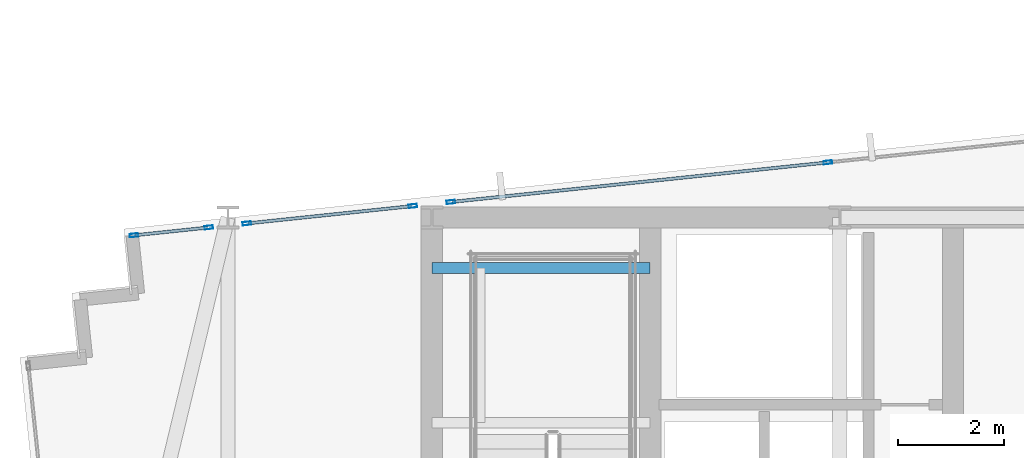
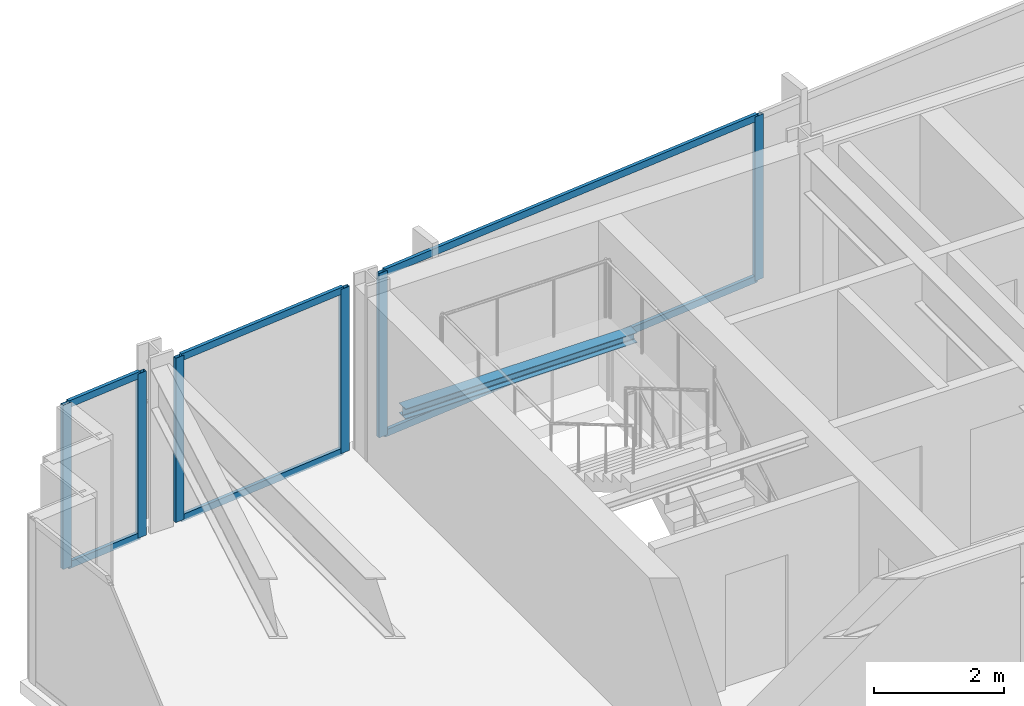
# One storey, part 20 of 32: 12 members, 1 beam, 3 elements without a shape of their own.
"""IFC4 building model written with IfcOpenShell, lengths in metres."""

from ifc_helpers import new_model, si_unit, direction, frame, origin, origin_2d, place, context, subcontext, project, spatial, hollow_rectangle, i_section, extrude, material, material_profile, profile_set, type_object, element, aggregate, save


model = new_model("IFC4")

# Units and contexts
model_context = context("Model", 3, precision=1e-05, world=origin(), true_north=direction((0.0, 1.0)))
body_context = subcontext(model_context, "Body", "Model", "MODEL_VIEW")
ifc_project = project(units=[si_unit("LENGTHUNIT", "METRE"), si_unit("AREAUNIT", "SQUARE_METRE"), si_unit("VOLUMEUNIT", "CUBIC_METRE"), si_unit("PLANEANGLEUNIT", "RADIAN"), si_unit("MASSUNIT", "GRAM", prefix="KILO")], contexts=[model_context])

# Site, building, storey
site_placement = place(None, origin())
site = spatial("IfcSite", under=ifc_project, at=site_placement, CompositionType="ELEMENT")
building_placement = place(site_placement, origin())
building = spatial("IfcBuilding", under=site, at=building_placement, Name="Yelkora Congress Tower", CompositionType="ELEMENT")
storey_placement = place(building_placement, frame((0.0, 0.0, 214.39990234375)))
storey = spatial("IfcBuildingStorey", under=building, at=storey_placement, Name="L59", CompositionType="ELEMENT", Elevation=214.39990234375)

# Beam
ifc_material_1 = material(Name="Steel S355J2", Category="steel")
ifc_material_profile_1 = material_profile(ifc_material_1, i_section(OverallWidth=0.199951171875, OverallDepth=0.18994140625, WebThickness=0.006591796875, FlangeThickness=0.010009765625, FilletRadius=0.01806640625, at=origin_2d()), Name="HEA 200")
ifc_profile_set_1 = profile_set([ifc_material_profile_1], Name="Steel S355J2")
beam_type = type_object("IfcBeamType", Name="BM-LAND-HEA200", PredefinedType="BEAM", material=ifc_profile_set_1)
beam_placement = place(storey_placement, frame((23.0400390625, 45.25, 1.334716796875), z_axis=(1.0, 0.0, 0.0), x_axis=(0.0, 1.0, 0.0)))
element("IfcBeam", 1, at=beam_placement, inside=storey, type_object=beam_type, Name="ST-01 L59 Landing Header Beam 1N", PredefinedType="BEAM", context=body_context, shape_type="SweptSolid", body=[
    extrude(i_section(OverallWidth=0.199951171875, OverallDepth=0.18994140625, WebThickness=0.006591796875, FlangeThickness=0.010009765625, FilletRadius=0.01806640625, at=origin_2d()), origin(), (0.0, 0.0, 1.0), 4.10986328125),
])

# Curtain wall, members
ifc_material_2 = material(Name="Anodised aluminium and insulated glass", Category="aluminium")
curtain_wall_type = type_object("IfcCurtainWallType", Name="CW-SYS-B4", PredefinedType="NOTDEFINED", material=ifc_material_2)
curtain_wall_1_placement = place(storey_placement, origin())
curtain_wall_1 = element("IfcCurtainWall", 2, at=curtain_wall_1_placement, inside=storey, type_object=curtain_wall_type, Name="L59 Unitised Curtain Wall 10 (1)", PredefinedType="NOTDEFINED")
ifc_material_3 = material(Name="Anodised aluminium 6063-T6", Category="aluminium")
ifc_material_profile_2 = material_profile(ifc_material_3, hollow_rectangle(XDim=0.06494140625, YDim=0.159912109375, WallThickness=0.00390625, at=origin_2d()), Name="ALU 65x160x4")
ifc_profile_set_2 = profile_set([ifc_material_profile_2], Name="Anodised aluminium 6063-T6")
member_type_1 = type_object("IfcMemberType", Name="MEM-ML-B4", PredefinedType="MULLION", material=ifc_profile_set_2)
member_1_placement = place(storey_placement, frame((17.431396484375, 45.865966796875, 0.0), z_axis=(0.0, 0.0, 1.0), x_axis=(-0.104509292244, 0.994523910137, 0.0)))
member_1 = element("IfcMember", 3, at=member_1_placement, type_object=member_type_1, Name="CW-B4 mullion 1", PredefinedType="MULLION", context=body_context, shape_type="SweptSolid", body=[
    extrude(hollow_rectangle(XDim=0.06494140625, YDim=0.159912109375, WallThickness=0.00390625, at=origin_2d()), origin(), (0.0, 0.0, 1.0), 3.080078125),
])
member_2_placement = place(storey_placement, frame((18.841796875, 46.01416015625, 0.0), z_axis=(0.0, 0.0, 1.0), x_axis=(-0.104509292244, 0.994523910137, 0.0)))
member_2 = element("IfcMember", 4, at=member_2_placement, type_object=member_type_1, Name="CW-B4 mullion 2", PredefinedType="MULLION", context=body_context, shape_type="SweptSolid", body=[
    extrude(hollow_rectangle(XDim=0.06494140625, YDim=0.159912109375, WallThickness=0.00390625, at=origin_2d()), origin(), (0.0, 0.0, 1.0), 3.080078125),
])

curtain_wall_2_placement = place(storey_placement, origin())
curtain_wall_2 = element("IfcCurtainWall", 5, at=curtain_wall_2_placement, inside=storey, type_object=curtain_wall_type, Name="L59 Unitised Curtain Wall 10 (2)", PredefinedType="NOTDEFINED")
member_3_placement = place(storey_placement, frame((19.558349609375, 46.089599609375, 0.0), z_axis=(0.0, 0.0, 1.0), x_axis=(-0.104506154437, 0.994524239868, 0.0)))
member_3 = element("IfcMember", 6, at=member_3_placement, type_object=member_type_1, Name="CW-B4 mullion 1", PredefinedType="MULLION", context=body_context, shape_type="SweptSolid", body=[
    extrude(hollow_rectangle(XDim=0.06494140625, YDim=0.159912109375, WallThickness=0.00390625, at=origin_2d()), origin(), (0.0, 0.0, 1.0), 3.080078125),
])
member_4_placement = place(storey_placement, frame((22.681640625, 46.417724609375, 0.0), z_axis=(0.0, 0.0, 1.0), x_axis=(-0.104506154437, 0.994524239868, 0.0)))
member_4 = element("IfcMember", 7, at=member_4_placement, type_object=member_type_1, Name="CW-B4 mullion 2", PredefinedType="MULLION", context=body_context, shape_type="SweptSolid", body=[
    extrude(hollow_rectangle(XDim=0.06494140625, YDim=0.159912109375, WallThickness=0.00390625, at=origin_2d()), origin(), (0.0, 0.0, 1.0), 3.080078125),
])

curtain_wall_3_placement = place(storey_placement, origin())
curtain_wall_3 = element("IfcCurtainWall", 8, at=curtain_wall_3_placement, inside=storey, type_object=curtain_wall_type, Name="L59 Unitised Curtain Wall 10 (3)", PredefinedType="NOTDEFINED")
member_5_placement = place(storey_placement, frame((23.3984375, 46.4931640625, 0.0), z_axis=(0.0, 0.0, 1.0), x_axis=(-0.104527724021, 0.994521973066, 0.0)))
member_5 = element("IfcMember", 9, at=member_5_placement, type_object=member_type_1, Name="CW-B4 mullion 1", PredefinedType="MULLION", context=body_context, shape_type="SweptSolid", body=[
    extrude(hollow_rectangle(XDim=0.06494140625, YDim=0.159912109375, WallThickness=0.00390625, at=origin_2d()), origin(), (0.0, 0.0, 1.0), 3.080078125),
])
member_6_placement = place(storey_placement, frame((30.496826171875, 47.2392578125, 0.0), z_axis=(0.0, 0.0, 1.0), x_axis=(-0.104527724021, 0.994521973066, 0.0)))
member_6 = element("IfcMember", 10, at=member_6_placement, type_object=member_type_1, Name="CW-B4 mullion 2", PredefinedType="MULLION", context=body_context, shape_type="SweptSolid", body=[
    extrude(hollow_rectangle(XDim=0.06494140625, YDim=0.159912109375, WallThickness=0.00390625, at=origin_2d()), origin(), (0.0, 0.0, 1.0), 3.080078125),
])

# Member
ifc_material_profile_3 = material_profile(ifc_material_3, hollow_rectangle(XDim=0.06005859375, YDim=0.1298828125, WallThickness=0.00390625, at=origin_2d()), Name="ALU 60x130x4")
ifc_profile_set_3 = profile_set([ifc_material_profile_3], Name="Anodised aluminium 6063-T6")
member_type_2 = type_object("IfcMemberType", Name="MEM-TR-B4", PredefinedType="USERDEFINED", material=ifc_profile_set_3)
member_7_placement = place(storey_placement, frame((17.463623046875, 45.869384765625, 0.030029296875), z_axis=(0.994528168538, 0.10446876081, 0.0), x_axis=(-0.10446876081, 0.994528168538, 0.0)))
member_7 = element("IfcMember", 11, at=member_7_placement, type_object=member_type_2, Name="CW-B4 transom 1.1", ObjectType="TRANSOM", PredefinedType="USERDEFINED", context=body_context, shape_type="SweptSolid", body=[
    extrude(hollow_rectangle(XDim=0.06005859375, YDim=0.1298828125, WallThickness=0.00390625, at=origin_2d()), origin(), (0.0, 0.0, 1.0), 1.35302734375),
])

member_8_placement = place(storey_placement, frame((17.463623046875, 45.869384765625, 3.050048828125), z_axis=(0.994528168538, 0.10446876081, 0.0), x_axis=(-0.10446876081, 0.994528168538, 0.0)))
member_8 = element("IfcMember", 12, at=member_8_placement, type_object=member_type_2, Name="CW-B4 transom 1.2", ObjectType="TRANSOM", PredefinedType="USERDEFINED", context=body_context, shape_type="SweptSolid", body=[
    extrude(hollow_rectangle(XDim=0.06005859375, YDim=0.1298828125, WallThickness=0.00390625, at=origin_2d()), origin(), (0.0, 0.0, 1.0), 1.35302734375),
])

aggregate(curtain_wall_1, [member_1, member_2, member_7, member_8])

member_9_placement = place(storey_placement, frame((19.590576171875, 46.093017578125, 0.030029296875), z_axis=(0.994528915126, 0.104461653149, 0.0), x_axis=(-0.104461653149, 0.994528915126, 0.0)))
member_9 = element("IfcMember", 13, at=member_9_placement, type_object=member_type_2, Name="CW-B4 transom 1.1", ObjectType="TRANSOM", PredefinedType="USERDEFINED", context=body_context, shape_type="SweptSolid", body=[
    extrude(hollow_rectangle(XDim=0.06005859375, YDim=0.1298828125, WallThickness=0.00390625, at=origin_2d()), origin(), (0.0, 0.0, 1.0), 3.07568359375),
])

member_10_placement = place(storey_placement, frame((19.590576171875, 46.093017578125, 3.050048828125), z_axis=(0.994528915126, 0.104461653149, 0.0), x_axis=(-0.104461653149, 0.994528915126, 0.0)))
member_10 = element("IfcMember", 14, at=member_10_placement, type_object=member_type_2, Name="CW-B4 transom 1.2", ObjectType="TRANSOM", PredefinedType="USERDEFINED", context=body_context, shape_type="SweptSolid", body=[
    extrude(hollow_rectangle(XDim=0.06005859375, YDim=0.1298828125, WallThickness=0.00390625, at=origin_2d()), origin(), (0.0, 0.0, 1.0), 3.07568359375),
])

aggregate(curtain_wall_2, [member_3, member_4, member_9, member_10])

member_11_placement = place(storey_placement, frame((23.4306640625, 46.49658203125, 0.030029296875), z_axis=(0.994522085625, 0.104526653081, 0.0), x_axis=(-0.104526653081, 0.994522085625, 0.0)))
member_11 = element("IfcMember", 15, at=member_11_placement, type_object=member_type_2, Name="CW-B4 transom 1.1", ObjectType="TRANSOM", PredefinedType="USERDEFINED", context=body_context, shape_type="SweptSolid", body=[
    extrude(hollow_rectangle(XDim=0.06005859375, YDim=0.1298828125, WallThickness=0.00390625, at=origin_2d()), origin(), (0.0, 0.0, 1.0), 7.072509765625),
])

member_12_placement = place(storey_placement, frame((23.4306640625, 46.49658203125, 3.050048828125), z_axis=(0.994522085625, 0.104526653081, 0.0), x_axis=(-0.104526653081, 0.994522085625, 0.0)))
member_12 = element("IfcMember", 16, at=member_12_placement, type_object=member_type_2, Name="CW-B4 transom 1.2", ObjectType="TRANSOM", PredefinedType="USERDEFINED", context=body_context, shape_type="SweptSolid", body=[
    extrude(hollow_rectangle(XDim=0.06005859375, YDim=0.1298828125, WallThickness=0.00390625, at=origin_2d()), origin(), (0.0, 0.0, 1.0), 7.072509765625),
])

aggregate(curtain_wall_3, [member_5, member_6, member_11, member_12])

save(model, "model.ifc")
